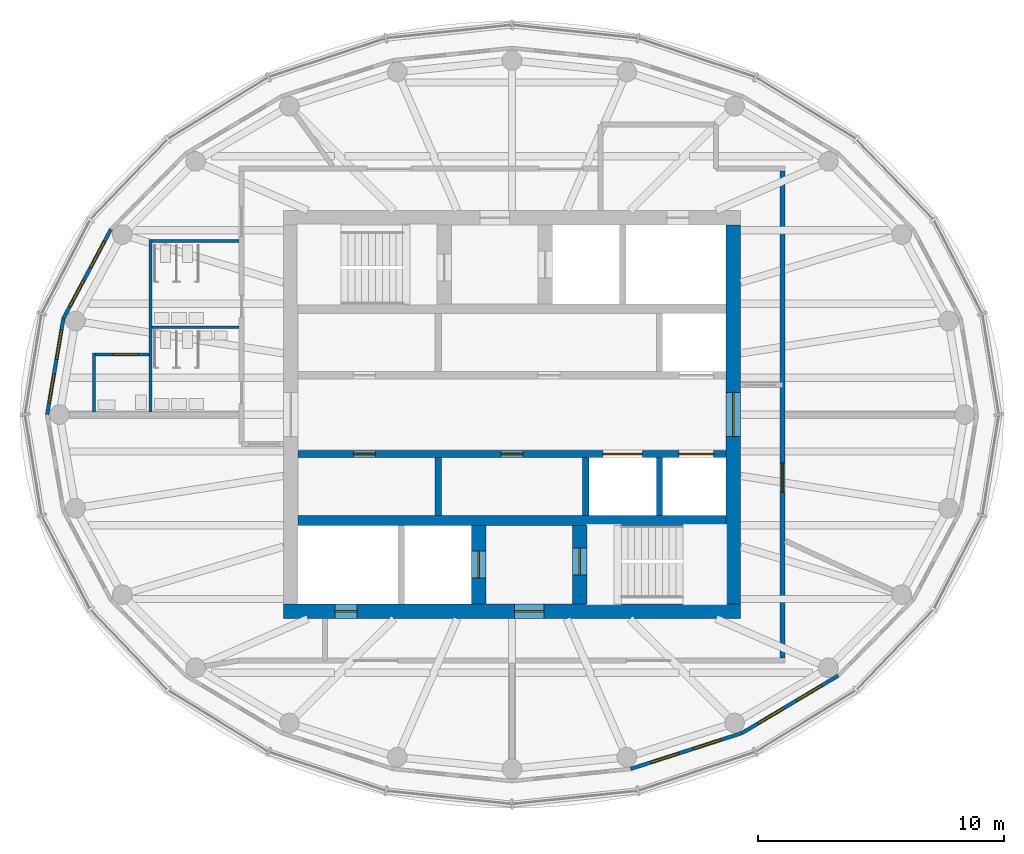
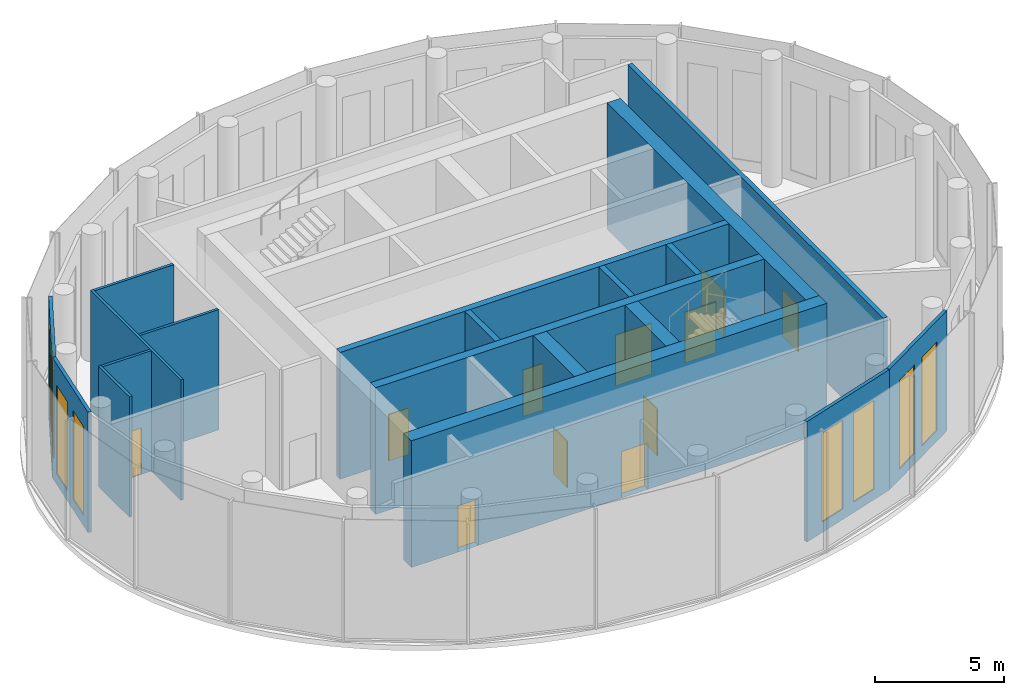
# One storey, part 5 of 11: 19 walls, 11 doors, 8 windows, 19 openings.
"""IFC4 building model written with IfcOpenShell, lengths in metres."""

from ifc_helpers import new_model, si_unit, direction, frame, frame_2d, origin, place, context, subcontext, project, spatial, rectangle, extrude, material, layer, layer_set, type_object, element, fill, save


model = new_model("IFC4")

# Units and contexts
model_context = context("Model", 3, precision=1e-05, world=origin(), true_north=direction((0.0, 1.0)))
body_context = subcontext(model_context, "Body", "Model", "MODEL_VIEW")
ifc_project = project(units=[si_unit("LENGTHUNIT", "METRE"), si_unit("AREAUNIT", "SQUARE_METRE"), si_unit("VOLUMEUNIT", "CUBIC_METRE"), si_unit("PLANEANGLEUNIT", "RADIAN"), si_unit("MASSUNIT", "GRAM", prefix="KILO")], contexts=[model_context])

# Site, building, storey
site_placement = place(None, origin())
site = spatial("IfcSite", under=ifc_project, at=site_placement, CompositionType="ELEMENT")
building_placement = place(site_placement, origin())
building = spatial("IfcBuilding", under=site, at=building_placement, Name="Hankou Lantern Tower", CompositionType="ELEMENT")
storey_placement = place(building_placement, frame((0.0, 0.0, 242.699951171875)))
storey = spatial("IfcBuildingStorey", under=building, at=storey_placement, Name="L65", CompositionType="ELEMENT", Elevation=242.699951171875)

# Wall, openings, doors
ifc_material_1 = material(Name="Concrete C60", Category="concrete")
ifc_layer_1 = layer(ifc_material_1, 0.60009765625)
ifc_layer_set_1 = layer_set([ifc_layer_1], Name="Concrete C60")
wall_type_1 = type_object("IfcWallType", Name="CW3 CORE WALL 600", PredefinedType="SHEAR", material=ifc_layer_set_1)
wall_1_placement = place(storey_placement, frame((9.300048828125, -8.0, 0.0), z_axis=(0.0, 0.0, 1.0), x_axis=(-1.0, 0.0, 0.0)))
wall_1 = element("IfcWall", 1, at=wall_1_placement, inside=storey, type_object=wall_type_1, Name="Core wall south L65", PredefinedType="SHEAR", context=body_context, shape_type="SweptSolid", body=[
    extrude(rectangle(XDim=18.60009765625, YDim=0.60009765625, at=frame_2d((9.300048828125, 0.0))), origin(), (0.0, 0.0, 1.0), 6.0),
])
opening_1_placement = place(wall_1_placement, frame((8.0, 0.0, 0.0)))
opening_1 = element("IfcOpeningElement", 2, at=opening_1_placement, cuts=wall_1, Name="Opening D5", PredefinedType="OPENING", context=body_context, shape_type="SweptSolid", body=[
    extrude(rectangle(XDim=1.199951171875, YDim=2.199951171875, at=frame_2d((0.60009765625, 1.10009765625))), frame((0.0, 0.31005859375, 0.0), z_axis=(0.0, -1.0, 0.0), x_axis=(1.0, 0.0, 0.0)), (0.0, 0.0, 1.0), 0.6201171875),
])
opening_2_placement = place(wall_1_placement, frame((15.60009765625, 0.0, 0.0)))
opening_2 = element("IfcOpeningElement", 3, at=opening_2_placement, cuts=wall_1, Name="Opening D7", PredefinedType="OPENING", context=body_context, shape_type="SweptSolid", body=[
    extrude(rectangle(XDim=0.89990234375, YDim=2.199951171875, at=frame_2d((0.449951171875, 1.10009765625))), frame((0.0, 0.31005859375, 0.0), z_axis=(0.0, -1.0, 0.0), x_axis=(1.0, 0.0, 0.0)), (0.0, 0.0, 1.0), 0.6201171875),
])
ifc_material_2 = material(Name="Steel door leaf", Category="steel")
door_type_1 = type_object("IfcDoorType", Name="D5 STAIR LOBBY DOOR 1200X2200", OperationType="SINGLE_SWING_LEFT", PredefinedType="DOOR", material=ifc_material_2)
door_1_placement = place(opening_1_placement, origin())
door_1 = element("IfcDoor", 4, at=door_1_placement, inside=storey, type_object=door_type_1, Name="Stair B lobby door", OperationType="SINGLE_SWING_RIGHT", OverallHeight=2.199951171875, OverallWidth=1.199951171875, PredefinedType="DOOR", context=body_context, shape_type="SweptSolid", body=[
    extrude(rectangle(XDim=1.199951171875, YDim=2.199951171875, at=frame_2d((0.60009765625, 1.10009765625))), frame((0.0, 0.02490234375, 0.0), z_axis=(0.0, -1.0, 0.0), x_axis=(1.0, 0.0, 0.0)), (0.0, 0.0, 1.0), 0.050048828125),
])
fill(opening_1, door_1)
ifc_material_3 = material(Name="Steel door leaf", Category="steel")
door_type_2 = type_object("IfcDoorType", Name="D7 RISER DOOR 900X2200", OperationType="SINGLE_SWING_LEFT", PredefinedType="DOOR", material=ifc_material_3)
door_2_placement = place(opening_2_placement, origin())
door_2 = element("IfcDoor", 5, at=door_2_placement, inside=storey, type_object=door_type_2, Name="Riser S1 door", OperationType="SINGLE_SWING_RIGHT", OverallHeight=2.199951171875, OverallWidth=0.89990234375, PredefinedType="DOOR", context=body_context, shape_type="SweptSolid", body=[
    extrude(rectangle(XDim=0.89990234375, YDim=2.199951171875, at=frame_2d((0.449951171875, 1.10009765625))), frame((0.0, 0.02490234375, 0.0), z_axis=(0.0, -1.0, 0.0), x_axis=(1.0, 0.0, 0.0)), (0.0, 0.0, 1.0), 0.050048828125),
])
fill(opening_2, door_2)

# Wall, opening, door
wall_2_placement = place(storey_placement, frame((9.0, -7.699951171875, 0.0), z_axis=(0.0, 0.0, 1.0), x_axis=(0.0, 1.0, 0.0)))
wall_2 = element("IfcWall", 6, at=wall_2_placement, inside=storey, type_object=wall_type_1, Name="Core wall east L65", PredefinedType="SHEAR", context=body_context, shape_type="SweptSolid", body=[
    extrude(rectangle(XDim=15.39990234375, YDim=0.60009765625, at=frame_2d((7.699951171875, 0.0))), origin(), (0.0, 0.0, 1.0), 6.0),
])
opening_3_placement = place(wall_2_placement, frame((6.800048828125, 0.0, 0.0)))
opening_3 = element("IfcOpeningElement", 7, at=opening_3_placement, cuts=wall_2, Name="Opening D6", PredefinedType="OPENING", context=body_context, shape_type="SweptSolid", body=[
    extrude(rectangle(XDim=1.800048828125, YDim=2.199951171875, at=frame_2d((0.89990234375, 1.10009765625))), frame((0.0, 0.31005859375, 0.0), z_axis=(0.0, -1.0, 0.0), x_axis=(1.0, 0.0, 0.0)), (0.0, 0.0, 1.0), 0.6201171875),
])
ifc_material_4 = material(Name="Steel door leaf", Category="steel")
door_type_3 = type_object("IfcDoorType", Name="D6 LIFT LOBBY DOOR 1800X2200", OperationType="DOUBLE_DOOR_DOUBLE_SWING", PredefinedType="DOOR", material=ifc_material_4)
door_3_placement = place(opening_3_placement, origin())
door_3 = element("IfcDoor", 8, at=door_3_placement, inside=storey, type_object=door_type_3, Name="Lift lobby east door", OperationType="DOUBLE_DOOR_DOUBLE_SWING", OverallHeight=2.199951171875, OverallWidth=1.800048828125, PredefinedType="DOOR", context=body_context, shape_type="SweptSolid", body=[
    extrude(rectangle(XDim=1.800048828125, YDim=2.199951171875, at=frame_2d((0.89990234375, 1.10009765625))), frame((0.0, 0.02490234375, 0.0), z_axis=(0.0, -1.0, 0.0), x_axis=(1.0, 0.0, 0.0)), (0.0, 0.0, 1.0), 0.050048828125),
])
fill(opening_3, door_3)

# Wall
ifc_material_5 = material(Name="Concrete C60", Category="concrete")
ifc_layer_2 = layer(ifc_material_5, 0.39990234375)
ifc_layer_set_2 = layer_set([ifc_layer_2], Name="Concrete C60")
wall_type_2 = type_object("IfcWallType", Name="CW4 CORE CROSS WALL 400", PredefinedType="SHEAR", material=ifc_layer_set_2)
wall_3_placement = place(storey_placement, frame((-8.699951171875, -4.300048828125, 0.0), z_axis=(0.0, 0.0, 1.0), x_axis=(1.0, 0.0, 0.0)))
element("IfcWall", 9, at=wall_3_placement, inside=storey, type_object=wall_type_2, Name="Core band wall south L65", PredefinedType="SHEAR", context=body_context, shape_type="SweptSolid", body=[
    extrude(rectangle(XDim=17.39990234375, YDim=0.39990234375, at=frame_2d((8.699951171875, 0.0))), origin(), (0.0, 0.0, 1.0), 6.0),
])

# Wall, openings, doors
ifc_material_6 = material(Name="Concrete C60", Category="concrete")
ifc_layer_3 = layer(ifc_material_6, 0.300048828125)
ifc_layer_set_3 = layer_set([ifc_layer_3], Name="Concrete C60")
wall_type_3 = type_object("IfcWallType", Name="CW5 LIFT LOBBY WALL 300", PredefinedType="SHEAR", material=ifc_layer_set_3)
wall_4_placement = place(storey_placement, frame((-8.699951171875, -1.60009765625, 0.0), z_axis=(0.0, 0.0, 1.0), x_axis=(1.0, 0.0, 0.0)))
wall_4 = element("IfcWall", 10, at=wall_4_placement, inside=storey, type_object=wall_type_3, Name="Lift lobby wall south L65", PredefinedType="SHEAR", context=body_context, shape_type="SweptSolid", body=[
    extrude(rectangle(XDim=17.39990234375, YDim=0.300048828125, at=frame_2d((8.699951171875, 0.0))), origin(), (0.0, 0.0, 1.0), 6.0),
])
opening_4_placement = place(wall_4_placement, frame((12.39990234375, 0.0, 0.0)))
opening_4 = element("IfcOpeningElement", 11, at=opening_4_placement, cuts=wall_4, Name="Opening LD4", PredefinedType="OPENING", context=body_context, shape_type="SweptSolid", body=[
    extrude(rectangle(XDim=1.60009765625, YDim=2.39990234375, at=frame_2d((0.800048828125, 1.199951171875))), frame((0.0, 0.159912109375, 0.0), z_axis=(0.0, -1.0, 0.0), x_axis=(1.0, 0.0, 0.0)), (0.0, 0.0, 1.0), 0.320068359375),
])
opening_5_placement = place(wall_4_placement, frame((15.5, 0.0, 0.0)))
opening_5 = element("IfcOpeningElement", 12, at=opening_5_placement, cuts=wall_4, Name="Opening LD3", PredefinedType="OPENING", context=body_context, shape_type="SweptSolid", body=[
    extrude(rectangle(XDim=1.39990234375, YDim=2.39990234375, at=frame_2d((0.699951171875, 1.199951171875))), frame((0.0, 0.159912109375, 0.0), z_axis=(0.0, -1.0, 0.0), x_axis=(1.0, 0.0, 0.0)), (0.0, 0.0, 1.0), 0.320068359375),
])
opening_6_placement = place(wall_4_placement, frame((2.25, 0.0, 0.0)))
opening_6 = element("IfcOpeningElement", 13, at=opening_6_placement, cuts=wall_4, Name="Opening D30", PredefinedType="OPENING", context=body_context, shape_type="SweptSolid", body=[
    extrude(rectangle(XDim=0.89990234375, YDim=2.199951171875, at=frame_2d((0.449951171875, 1.10009765625))), frame((0.0, 0.159912109375, 0.0), z_axis=(0.0, -1.0, 0.0), x_axis=(1.0, 0.0, 0.0)), (0.0, 0.0, 1.0), 0.320068359375),
])
opening_7_placement = place(wall_4_placement, frame((8.25, 0.0, 0.0)))
opening_7 = element("IfcOpeningElement", 14, at=opening_7_placement, cuts=wall_4, Name="Opening D30", PredefinedType="OPENING", context=body_context, shape_type="SweptSolid", body=[
    extrude(rectangle(XDim=0.89990234375, YDim=2.199951171875, at=frame_2d((0.449951171875, 1.10009765625))), frame((0.0, 0.159912109375, 0.0), z_axis=(0.0, -1.0, 0.0), x_axis=(1.0, 0.0, 0.0)), (0.0, 0.0, 1.0), 0.320068359375),
])
ifc_material_7 = material(Name="Steel door leaf", Category="steel")
door_type_4 = type_object("IfcDoorType", Name="D30 CORE ROOM DOOR 900X2200", OperationType="SINGLE_SWING_LEFT", PredefinedType="DOOR", material=ifc_material_7)
door_4_placement = place(opening_6_placement, origin())
door_4 = element("IfcDoor", 15, at=door_4_placement, inside=storey, type_object=door_type_4, Name="Cleaner's store door", OperationType="SINGLE_SWING_LEFT", OverallHeight=2.199951171875, OverallWidth=0.89990234375, PredefinedType="DOOR", context=body_context, shape_type="SweptSolid", body=[
    extrude(rectangle(XDim=0.89990234375, YDim=2.199951171875, at=frame_2d((0.449951171875, 1.10009765625))), frame((0.0, 0.02490234375, 0.0), z_axis=(0.0, -1.0, 0.0), x_axis=(1.0, 0.0, 0.0)), (0.0, 0.0, 1.0), 0.050048828125),
])
fill(opening_6, door_4)
door_5_placement = place(opening_7_placement, origin())
door_5 = element("IfcDoor", 16, at=door_5_placement, inside=storey, type_object=door_type_4, Name="IT and telecoms room door", OperationType="SINGLE_SWING_LEFT", OverallHeight=2.199951171875, OverallWidth=0.89990234375, PredefinedType="DOOR", context=body_context, shape_type="SweptSolid", body=[
    extrude(rectangle(XDim=0.89990234375, YDim=2.199951171875, at=frame_2d((0.449951171875, 1.10009765625))), frame((0.0, 0.02490234375, 0.0), z_axis=(0.0, -1.0, 0.0), x_axis=(1.0, 0.0, 0.0)), (0.0, 0.0, 1.0), 0.050048828125),
])
fill(opening_7, door_5)
ifc_material_8 = material(Name="Steel door leaf", Category="steel")
door_type_5 = type_object("IfcDoorType", Name="LD3 OBSERVATION LIFT LANDING DOOR 1400X2400", OperationType="DOUBLE_DOOR_SLIDING", PredefinedType="DOOR", material=ifc_material_8)
door_6_placement = place(opening_5_placement, origin())
door_6 = element("IfcDoor", 17, at=door_6_placement, inside=storey, type_object=door_type_5, Name="Lift OB2 landing door", OperationType="DOUBLE_DOOR_SLIDING", OverallHeight=2.39990234375, OverallWidth=1.39990234375, PredefinedType="DOOR", context=body_context, shape_type="SweptSolid", body=[
    extrude(rectangle(XDim=1.39990234375, YDim=2.39990234375, at=frame_2d((0.699951171875, 1.199951171875))), frame((0.0, 0.02490234375, 0.0), z_axis=(0.0, -1.0, 0.0), x_axis=(1.0, 0.0, 0.0)), (0.0, 0.0, 1.0), 0.050048828125),
])
fill(opening_5, door_6)
ifc_material_9 = material(Name="Steel door leaf", Category="steel")
door_type_6 = type_object("IfcDoorType", Name="LD4 SERVICE LIFT LANDING DOOR 1600X2400", OperationType="DOUBLE_DOOR_SLIDING", PredefinedType="DOOR", material=ifc_material_9)
door_7_placement = place(opening_4_placement, origin())
door_7 = element("IfcDoor", 18, at=door_7_placement, inside=storey, type_object=door_type_6, Name="Lift SV1 landing door", OperationType="DOUBLE_DOOR_SLIDING", OverallHeight=2.39990234375, OverallWidth=1.60009765625, PredefinedType="DOOR", context=body_context, shape_type="SweptSolid", body=[
    extrude(rectangle(XDim=1.60009765625, YDim=2.39990234375, at=frame_2d((0.800048828125, 1.199951171875))), frame((0.0, 0.02490234375, 0.0), z_axis=(0.0, -1.0, 0.0), x_axis=(1.0, 0.0, 0.0)), (0.0, 0.0, 1.0), 0.050048828125),
])
fill(opening_4, door_7)

# Wall, opening, door
ifc_material_10 = material(Name="Concrete C60", Category="concrete")
ifc_layer_4 = layer(ifc_material_10, 0.60009765625)
ifc_layer_set_4 = layer_set([ifc_layer_4], Name="Concrete C60")
wall_type_4 = type_object("IfcWallType", Name="CW6 STAIR AND SHAFT WALL 600", PredefinedType="SHEAR", material=ifc_layer_set_4)
wall_5_placement = place(storey_placement, frame((2.75, -7.699951171875, 0.0), z_axis=(0.0, 0.0, 1.0), x_axis=(0.0, 1.0, 0.0)))
wall_5 = element("IfcWall", 19, at=wall_5_placement, inside=storey, type_object=wall_type_4, Name="Stair wall L65", PredefinedType="SHEAR", context=body_context, shape_type="SweptSolid", body=[
    extrude(rectangle(XDim=3.199951171875, YDim=0.60009765625, at=frame_2d((1.60009765625, 0.0))), origin(), (0.0, 0.0, 1.0), 6.0),
])
opening_8_placement = place(wall_5_placement, frame((1.175048828125, 0.0, 0.0)))
opening_8 = element("IfcOpeningElement", 20, at=opening_8_placement, cuts=wall_5, Name="Opening D4", PredefinedType="OPENING", context=body_context, shape_type="SweptSolid", body=[
    extrude(rectangle(XDim=1.10009765625, YDim=2.199951171875, at=frame_2d((0.550048828125, 1.10009765625))), frame((0.0, 0.31005859375, 0.0), z_axis=(0.0, -1.0, 0.0), x_axis=(1.0, 0.0, 0.0)), (0.0, 0.0, 1.0), 0.6201171875),
])
ifc_material_11 = material(Name="Steel door leaf", Category="steel")
door_type_7 = type_object("IfcDoorType", Name="D4 STAIR DOOR 1100X2200", OperationType="SINGLE_SWING_LEFT", PredefinedType="DOOR", material=ifc_material_11)
door_8_placement = place(opening_8_placement, origin())
door_8 = element("IfcDoor", 21, at=door_8_placement, inside=storey, type_object=door_type_7, Name="Stair B door", OperationType="SINGLE_SWING_RIGHT", OverallHeight=2.199951171875, OverallWidth=1.10009765625, PredefinedType="DOOR", context=body_context, shape_type="SweptSolid", body=[
    extrude(rectangle(XDim=1.10009765625, YDim=2.199951171875, at=frame_2d((0.550048828125, 1.10009765625))), frame((0.0, 0.02490234375, 0.0), z_axis=(0.0, -1.0, 0.0), x_axis=(1.0, 0.0, 0.0)), (0.0, 0.0, 1.0), 0.050048828125),
])
fill(opening_8, door_8)

wall_6_placement = place(storey_placement, frame((-1.35009765625, -7.699951171875, 0.0), z_axis=(0.0, 0.0, 1.0), x_axis=(0.0, 1.0, 0.0)))
wall_6 = element("IfcWall", 22, at=wall_6_placement, inside=storey, type_object=wall_type_4, Name="Firefighting lift shaft wall L65", PredefinedType="SHEAR", context=body_context, shape_type="SweptSolid", body=[
    extrude(rectangle(XDim=3.199951171875, YDim=0.60009765625, at=frame_2d((1.60009765625, 0.0))), origin(), (0.0, 0.0, 1.0), 6.0),
])
opening_9_placement = place(wall_6_placement, frame((1.050048828125, 0.0, 0.0)))
opening_9 = element("IfcOpeningElement", 23, at=opening_9_placement, cuts=wall_6, Name="Opening LD2", PredefinedType="OPENING", context=body_context, shape_type="SweptSolid", body=[
    extrude(rectangle(XDim=1.10009765625, YDim=2.199951171875, at=frame_2d((0.550048828125, 1.10009765625))), frame((0.0, 0.31005859375, 0.0), z_axis=(0.0, -1.0, 0.0), x_axis=(1.0, 0.0, 0.0)), (0.0, 0.0, 1.0), 0.6201171875),
])
ifc_material_12 = material(Name="Steel door leaf", Category="steel")
door_type_8 = type_object("IfcDoorType", Name="LD2 FIREFIGHTING LIFT LANDING DOOR 1100X2200", OperationType="DOUBLE_DOOR_SLIDING", PredefinedType="DOOR", material=ifc_material_12)
door_9_placement = place(opening_9_placement, origin())
door_9 = element("IfcDoor", 24, at=door_9_placement, inside=storey, type_object=door_type_8, Name="Firefighting lift FL2 landing door", OperationType="DOUBLE_DOOR_SLIDING", OverallHeight=2.199951171875, OverallWidth=1.10009765625, PredefinedType="DOOR", context=body_context, shape_type="SweptSolid", body=[
    extrude(rectangle(XDim=1.10009765625, YDim=2.199951171875, at=frame_2d((0.550048828125, 1.10009765625))), frame((0.0, 0.02490234375, 0.0), z_axis=(0.0, -1.0, 0.0), x_axis=(1.0, 0.0, 0.0)), (0.0, 0.0, 1.0), 0.050048828125),
])
fill(opening_9, door_9)

# Wall, openings, windows
ifc_material_13 = material(Name="Aluminium spandrel panel on steel studs", Category="steel")
ifc_layer_5 = layer(ifc_material_13, 0.14990234375)
ifc_layer_set_5 = layer_set([ifc_layer_5], Name="Aluminium spandrel panel on steel studs")
wall_type_5 = type_object("IfcWallType", Name="EW1 INNER SKIN WALL 150", PredefinedType="ELEMENTEDWALL", material=ifc_layer_set_5)
wall_7_placement = place(storey_placement, frame((-16.307373046875, 7.531982421875, 0.0), z_axis=(0.0, 0.0, 1.0), x_axis=(-0.470282591286, -0.882515883332, 0.0)))
wall_7 = element("IfcWall", 25, at=wall_7_placement, inside=storey, type_object=wall_type_5, Name="Inner skin R11-R12 L65", PredefinedType="ELEMENTEDWALL", context=body_context, shape_type="SweptSolid", body=[
    extrude(rectangle(XDim=4.104736328125, YDim=0.14990234375, at=frame_2d((2.05224609375, 0.0))), origin(), (0.0, 0.0, 1.0), 5.699951171875),
])
opening_10_placement = place(wall_7_placement, frame((0.552490234375, 0.0, 0.5)))
opening_10 = element("IfcOpeningElement", 26, at=opening_10_placement, cuts=wall_7, Name="Opening W8", PredefinedType="OPENING", context=body_context, shape_type="SweptSolid", body=[
    extrude(rectangle(XDim=1.199951171875, YDim=4.199951171875, at=frame_2d((0.60009765625, 2.10009765625))), frame((0.0, 0.0849609375, 0.0), z_axis=(0.0, -1.0, 0.0), x_axis=(1.0, 0.0, 0.0)), (0.0, 0.0, 1.0), 0.169921875),
])
opening_11_placement = place(wall_7_placement, frame((2.3525390625, 0.0, 0.5)))
opening_11 = element("IfcOpeningElement", 27, at=opening_11_placement, cuts=wall_7, Name="Opening W8", PredefinedType="OPENING", context=body_context, shape_type="SweptSolid", body=[
    extrude(rectangle(XDim=1.199951171875, YDim=4.199951171875, at=frame_2d((0.60009765625, 2.10009765625))), frame((0.0, 0.0849609375, 0.0), z_axis=(0.0, -1.0, 0.0), x_axis=(1.0, 0.0, 0.0)), (0.0, 0.0, 1.0), 0.169921875),
])
ifc_material_14 = material(Name="Aluminium framed double glazed window", Category="aluminium")
window_type = type_object("IfcWindowType", Name="W8 OBSERVATION WINDOW 1200X4200", PartitioningType="DOUBLE_PANEL_VERTICAL", PredefinedType="WINDOW", material=ifc_material_14)
window_1_placement = place(opening_10_placement, origin())
window_1 = element("IfcWindow", 28, at=window_1_placement, inside=storey, type_object=window_type, Name="Window R11.1 L65", OverallHeight=4.199951171875, OverallWidth=1.199951171875, PartitioningType="SINGLE_PANEL", PredefinedType="WINDOW", context=body_context, shape_type="SweptSolid", body=[
    extrude(rectangle(XDim=1.199951171875, YDim=4.199951171875, at=frame_2d((0.60009765625, 2.10009765625))), frame((0.0, 0.030029296875, 0.0), z_axis=(0.0, -1.0, 0.0), x_axis=(1.0, 0.0, 0.0)), (0.0, 0.0, 1.0), 0.06005859375),
])
fill(opening_10, window_1)
window_2_placement = place(opening_11_placement, origin())
window_2 = element("IfcWindow", 29, at=window_2_placement, inside=storey, type_object=window_type, Name="Window R11.2 L65", OverallHeight=4.199951171875, OverallWidth=1.199951171875, PartitioningType="SINGLE_PANEL", PredefinedType="WINDOW", context=body_context, shape_type="SweptSolid", body=[
    extrude(rectangle(XDim=1.199951171875, YDim=4.199951171875, at=frame_2d((0.60009765625, 2.10009765625))), frame((0.0, 0.030029296875, 0.0), z_axis=(0.0, -1.0, 0.0), x_axis=(1.0, 0.0, 0.0)), (0.0, 0.0, 1.0), 0.06005859375),
])
fill(opening_11, window_2)

wall_8_placement = place(storey_placement, frame((-18.23779296875, 3.909423828125, 0.0), z_axis=(0.0, 0.0, 1.0), x_axis=(-0.166984464914, -0.985959526795, 0.0)))
wall_8 = element("IfcWall", 30, at=wall_8_placement, inside=storey, type_object=wall_type_5, Name="Inner skin R12-R13 L65", PredefinedType="ELEMENTEDWALL", context=body_context, shape_type="SweptSolid", body=[
    extrude(rectangle(XDim=3.965087890625, YDim=0.14990234375, at=frame_2d((1.982421875, 0.0))), origin(), (0.0, 0.0, 1.0), 5.699951171875),
])
opening_12_placement = place(wall_8_placement, frame((0.482666015625, 0.0, 0.5)))
opening_12 = element("IfcOpeningElement", 31, at=opening_12_placement, cuts=wall_8, Name="Opening W8", PredefinedType="OPENING", context=body_context, shape_type="SweptSolid", body=[
    extrude(rectangle(XDim=1.199951171875, YDim=4.199951171875, at=frame_2d((0.60009765625, 2.10009765625))), frame((0.0, 0.0849609375, 0.0), z_axis=(0.0, -1.0, 0.0), x_axis=(1.0, 0.0, 0.0)), (0.0, 0.0, 1.0), 0.169921875),
])
opening_13_placement = place(wall_8_placement, frame((2.282470703125, 0.0, 0.5)))
opening_13 = element("IfcOpeningElement", 32, at=opening_13_placement, cuts=wall_8, Name="Opening W8", PredefinedType="OPENING", context=body_context, shape_type="SweptSolid", body=[
    extrude(rectangle(XDim=1.199951171875, YDim=4.199951171875, at=frame_2d((0.60009765625, 2.10009765625))), frame((0.0, 0.0849609375, 0.0), z_axis=(0.0, -1.0, 0.0), x_axis=(1.0, 0.0, 0.0)), (0.0, 0.0, 1.0), 0.169921875),
])
window_3_placement = place(opening_12_placement, origin())
window_3 = element("IfcWindow", 33, at=window_3_placement, inside=storey, type_object=window_type, Name="Window R12.1 L65", OverallHeight=4.199951171875, OverallWidth=1.199951171875, PartitioningType="SINGLE_PANEL", PredefinedType="WINDOW", context=body_context, shape_type="SweptSolid", body=[
    extrude(rectangle(XDim=1.199951171875, YDim=4.199951171875, at=frame_2d((0.60009765625, 2.10009765625))), frame((0.0, 0.030029296875, 0.0), z_axis=(0.0, -1.0, 0.0), x_axis=(1.0, 0.0, 0.0)), (0.0, 0.0, 1.0), 0.06005859375),
])
fill(opening_12, window_3)
window_4_placement = place(opening_13_placement, origin())
window_4 = element("IfcWindow", 34, at=window_4_placement, inside=storey, type_object=window_type, Name="Window R12.2 L65", OverallHeight=4.199951171875, OverallWidth=1.199951171875, PartitioningType="SINGLE_PANEL", PredefinedType="WINDOW", context=body_context, shape_type="SweptSolid", body=[
    extrude(rectangle(XDim=1.199951171875, YDim=4.199951171875, at=frame_2d((0.60009765625, 2.10009765625))), frame((0.0, 0.030029296875, 0.0), z_axis=(0.0, -1.0, 0.0), x_axis=(1.0, 0.0, 0.0)), (0.0, 0.0, 1.0), 0.06005859375),
])
fill(opening_13, window_4)

wall_9_placement = place(storey_placement, frame((4.8251953125, -14.40625, 0.0), z_axis=(0.0, 0.0, 1.0), x_axis=(0.951881908824, 0.306465057804, 0.0)))
wall_9 = element("IfcWall", 35, at=wall_9_placement, inside=storey, type_object=wall_type_5, Name="Inner skin R20-R21 L65", PredefinedType="ELEMENTEDWALL", context=body_context, shape_type="SweptSolid", body=[
    extrude(rectangle(XDim=4.74951171875, YDim=0.14990234375, at=frame_2d((2.374755859375, 0.0))), origin(), (0.0, 0.0, 1.0), 5.699951171875),
])
opening_14_placement = place(wall_9_placement, frame((0.874755859375, 0.0, 0.5)))
opening_14 = element("IfcOpeningElement", 36, at=opening_14_placement, cuts=wall_9, Name="Opening W8", PredefinedType="OPENING", context=body_context, shape_type="SweptSolid", body=[
    extrude(rectangle(XDim=1.199951171875, YDim=4.199951171875, at=frame_2d((0.60009765625, 2.10009765625))), frame((0.0, 0.0849609375, 0.0), z_axis=(0.0, -1.0, 0.0), x_axis=(1.0, 0.0, 0.0)), (0.0, 0.0, 1.0), 0.169921875),
])
opening_15_placement = place(wall_9_placement, frame((2.6748046875, 0.0, 0.5)))
opening_15 = element("IfcOpeningElement", 37, at=opening_15_placement, cuts=wall_9, Name="Opening W8", PredefinedType="OPENING", context=body_context, shape_type="SweptSolid", body=[
    extrude(rectangle(XDim=1.199951171875, YDim=4.199951171875, at=frame_2d((0.60009765625, 2.10009765625))), frame((0.0, 0.0849609375, 0.0), z_axis=(0.0, -1.0, 0.0), x_axis=(1.0, 0.0, 0.0)), (0.0, 0.0, 1.0), 0.169921875),
])
window_5_placement = place(opening_14_placement, origin())
window_5 = element("IfcWindow", 38, at=window_5_placement, inside=storey, type_object=window_type, Name="Window R20.1 L65", OverallHeight=4.199951171875, OverallWidth=1.199951171875, PartitioningType="SINGLE_PANEL", PredefinedType="WINDOW", context=body_context, shape_type="SweptSolid", body=[
    extrude(rectangle(XDim=1.199951171875, YDim=4.199951171875, at=frame_2d((0.60009765625, 2.10009765625))), frame((0.0, 0.030029296875, 0.0), z_axis=(0.0, -1.0, 0.0), x_axis=(1.0, 0.0, 0.0)), (0.0, 0.0, 1.0), 0.06005859375),
])
fill(opening_14, window_5)
window_6_placement = place(opening_15_placement, origin())
window_6 = element("IfcWindow", 39, at=window_6_placement, inside=storey, type_object=window_type, Name="Window R20.2 L65", OverallHeight=4.199951171875, OverallWidth=1.199951171875, PartitioningType="SINGLE_PANEL", PredefinedType="WINDOW", context=body_context, shape_type="SweptSolid", body=[
    extrude(rectangle(XDim=1.199951171875, YDim=4.199951171875, at=frame_2d((0.60009765625, 2.10009765625))), frame((0.0, 0.030029296875, 0.0), z_axis=(0.0, -1.0, 0.0), x_axis=(1.0, 0.0, 0.0)), (0.0, 0.0, 1.0), 0.06005859375),
])
fill(opening_15, window_6)

wall_10_placement = place(storey_placement, frame((9.34619140625, -12.95068359375, 0.0), z_axis=(0.0, 0.0, 1.0), x_axis=(0.858849230109, 0.512228464594, 0.0)))
wall_10 = element("IfcWall", 40, at=wall_10_placement, inside=storey, type_object=wall_type_5, Name="Inner skin R21-R22 L65", PredefinedType="ELEMENTEDWALL", context=body_context, shape_type="SweptSolid", body=[
    extrude(rectangle(XDim=4.564208984375, YDim=0.14990234375, at=frame_2d((2.2822265625, 0.0))), origin(), (0.0, 0.0, 1.0), 5.699951171875),
])
opening_16_placement = place(wall_10_placement, frame((0.781982421875, 0.0, 0.5)))
opening_16 = element("IfcOpeningElement", 41, at=opening_16_placement, cuts=wall_10, Name="Opening W8", PredefinedType="OPENING", context=body_context, shape_type="SweptSolid", body=[
    extrude(rectangle(XDim=1.199951171875, YDim=4.199951171875, at=frame_2d((0.60009765625, 2.10009765625))), frame((0.0, 0.0849609375, 0.0), z_axis=(0.0, -1.0, 0.0), x_axis=(1.0, 0.0, 0.0)), (0.0, 0.0, 1.0), 0.169921875),
])
opening_17_placement = place(wall_10_placement, frame((2.58203125, 0.0, 0.5)))
opening_17 = element("IfcOpeningElement", 42, at=opening_17_placement, cuts=wall_10, Name="Opening W8", PredefinedType="OPENING", context=body_context, shape_type="SweptSolid", body=[
    extrude(rectangle(XDim=1.199951171875, YDim=4.199951171875, at=frame_2d((0.60009765625, 2.10009765625))), frame((0.0, 0.0849609375, 0.0), z_axis=(0.0, -1.0, 0.0), x_axis=(1.0, 0.0, 0.0)), (0.0, 0.0, 1.0), 0.169921875),
])
window_7_placement = place(opening_16_placement, origin())
window_7 = element("IfcWindow", 43, at=window_7_placement, inside=storey, type_object=window_type, Name="Window R21.1 L65", OverallHeight=4.199951171875, OverallWidth=1.199951171875, PartitioningType="SINGLE_PANEL", PredefinedType="WINDOW", context=body_context, shape_type="SweptSolid", body=[
    extrude(rectangle(XDim=1.199951171875, YDim=4.199951171875, at=frame_2d((0.60009765625, 2.10009765625))), frame((0.0, 0.030029296875, 0.0), z_axis=(0.0, -1.0, 0.0), x_axis=(1.0, 0.0, 0.0)), (0.0, 0.0, 1.0), 0.06005859375),
])
fill(opening_16, window_7)
window_8_placement = place(opening_17_placement, origin())
window_8 = element("IfcWindow", 44, at=window_8_placement, inside=storey, type_object=window_type, Name="Window R21.2 L65", OverallHeight=4.199951171875, OverallWidth=1.199951171875, PartitioningType="SINGLE_PANEL", PredefinedType="WINDOW", context=body_context, shape_type="SweptSolid", body=[
    extrude(rectangle(XDim=1.199951171875, YDim=4.199951171875, at=frame_2d((0.60009765625, 2.10009765625))), frame((0.0, 0.030029296875, 0.0), z_axis=(0.0, -1.0, 0.0), x_axis=(1.0, 0.0, 0.0)), (0.0, 0.0, 1.0), 0.06005859375),
])
fill(opening_17, window_8)

# Wall, opening, door
ifc_material_15 = material(Name="Masonry lightweight concrete block", Category="masonry")
ifc_layer_6 = layer(ifc_material_15, 0.199951171875)
ifc_layer_set_6 = layer_set([ifc_layer_6], Name="Masonry lightweight concrete block")
wall_type_6 = type_object("IfcWallType", Name="IW2 CORRIDOR WALL 200", PredefinedType="PARTITIONING", material=ifc_layer_set_6)
wall_11_placement = place(storey_placement, frame((11.0, -9.89990234375, 0.0), z_axis=(0.0, 0.0, 1.0), x_axis=(0.0, 1.0, 0.0)))
wall_11 = element("IfcWall", 45, at=wall_11_placement, inside=storey, type_object=wall_type_6, Name="Corridor wall east", PredefinedType="PARTITIONING", context=body_context, shape_type="SweptSolid", body=[
    extrude(rectangle(XDim=19.7998046875, YDim=0.199951171875, at=frame_2d((9.89990234375, 0.0))), origin(), (0.0, 0.0, 1.0), 5.699951171875),
])
opening_18_placement = place(wall_11_placement, frame((6.736572265625, 0.0, 0.0)))
opening_18 = element("IfcOpeningElement", 46, at=opening_18_placement, cuts=wall_11, Name="Opening D23", PredefinedType="OPENING", context=body_context, shape_type="SweptSolid", body=[
    extrude(rectangle(XDim=1.199951171875, YDim=2.199951171875, at=frame_2d((0.60009765625, 1.10009765625))), frame((0.0, 0.10986328125, 0.0), z_axis=(0.0, -1.0, 0.0), x_axis=(1.0, 0.0, 0.0)), (0.0, 0.0, 1.0), 0.219970703125),
])
ifc_material_16 = material(Name="Steel door leaf", Category="steel")
door_type_9 = type_object("IfcDoorType", Name="D23 WIDE STORE DOOR 1200X2200", OperationType="SINGLE_SWING_LEFT", PredefinedType="DOOR", material=ifc_material_16)
door_10_placement = place(opening_18_placement, origin())
door_10 = element("IfcDoor", 47, at=door_10_placement, inside=storey, type_object=door_type_9, Name="Observation exhibition store and AV room door", OperationType="SINGLE_SWING_RIGHT", OverallHeight=2.199951171875, OverallWidth=1.199951171875, PredefinedType="DOOR", context=body_context, shape_type="SweptSolid", body=[
    extrude(rectangle(XDim=1.199951171875, YDim=2.199951171875, at=frame_2d((0.60009765625, 1.10009765625))), frame((0.0, 0.02490234375, 0.0), z_axis=(0.0, -1.0, 0.0), x_axis=(1.0, 0.0, 0.0)), (0.0, 0.0, 1.0), 0.050048828125),
])
fill(opening_18, door_10)

# Walls
ifc_material_17 = material(Name="Masonry lightweight concrete block", Category="masonry")
ifc_layer_7 = layer(ifc_material_17, 0.1201171875)
ifc_layer_set_7 = layer_set([ifc_layer_7], Name="Masonry lightweight concrete block")
wall_type_7 = type_object("IfcWallType", Name="IW3 BATHROOM WALL 120", PredefinedType="PARTITIONING", material=ifc_layer_set_7)
wall_12_placement = place(storey_placement, frame((-14.699951171875, 0.10009765625, 0.0), z_axis=(0.0, 0.0, 1.0), x_axis=(0.0, 1.0, 0.0)))
element("IfcWall", 48, at=wall_12_placement, inside=storey, type_object=wall_type_7, Name="WC wall west", PredefinedType="PARTITIONING", context=body_context, shape_type="SweptSolid", body=[
    extrude(rectangle(XDim=7.010009765625, YDim=0.1201171875, at=frame_2d((3.5048828125, 0.0))), origin(), (0.0, 0.0, 1.0), 5.699951171875),
])
for number, where, z_axis, x_axis, name in (
    (49, (-11.10009765625, 3.550048828125, 0.0), (0.0, 0.0, 1.0), (-1.0, 0.0, 0.0), "WC wall between"),
    (50, (-11.10009765625, 7.050048828125, 0.0), (0.0, 0.0, 1.0), (-1.0, 0.0, 0.0), "WC wall north"),
):
    element("IfcWall", number, at=place(storey_placement, frame(where, z_axis=z_axis, x_axis=x_axis)), inside=storey, type_object=wall_type_7, Name=name, PredefinedType="PARTITIONING", context=body_context, shape_type="SweptSolid", body=[
        extrude(rectangle(XDim=3.539794921875, YDim=0.1201171875, at=frame_2d((1.77001953125, 0.0))), origin(), (0.0, 0.0, 1.0), 5.699951171875),
    ])
wall_13_placement = place(storey_placement, frame((-17.0, 0.10009765625, 0.0), z_axis=(0.0, 0.0, 1.0), x_axis=(0.0, 1.0, 0.0)))
element("IfcWall", 51, at=wall_13_placement, inside=storey, type_object=wall_type_7, Name="Accessible WC wall west", PredefinedType="PARTITIONING", context=body_context, shape_type="SweptSolid", body=[
    extrude(rectangle(XDim=2.409912109375, YDim=0.1201171875, at=frame_2d((1.205078125, 0.0))), origin(), (0.0, 0.0, 1.0), 5.699951171875),
])

# Wall, opening, door
wall_14_placement = place(storey_placement, frame((-14.760009765625, 2.449951171875, 0.0), z_axis=(0.0, 0.0, 1.0), x_axis=(-1.0, 0.0, 0.0)))
wall_14 = element("IfcWall", 52, at=wall_14_placement, inside=storey, type_object=wall_type_7, Name="Accessible WC wall north", PredefinedType="PARTITIONING", context=body_context, shape_type="SweptSolid", body=[
    extrude(rectangle(XDim=2.300048828125, YDim=0.1201171875, at=frame_2d((1.14990234375, 0.0))), origin(), (0.0, 0.0, 1.0), 5.699951171875),
])
opening_19_placement = place(wall_14_placement, frame((0.449951171875, 0.0, 0.0)))
opening_19 = element("IfcOpeningElement", 53, at=opening_19_placement, cuts=wall_14, Name="Opening D11", PredefinedType="OPENING", context=body_context, shape_type="SweptSolid", body=[
    extrude(rectangle(XDim=1.0, YDim=2.199951171875, at=frame_2d((0.5, 1.10009765625))), frame((0.0, 0.070068359375, 0.0), z_axis=(0.0, -1.0, 0.0), x_axis=(1.0, 0.0, 0.0)), (0.0, 0.0, 1.0), 0.14013671875),
])
ifc_material_18 = material(Name="Timber door leaf", Category="wood")
door_type_10 = type_object("IfcDoorType", Name="D11 ACCESSIBLE WC DOOR 1000X2200", OperationType="SLIDING_TO_LEFT", PredefinedType="DOOR", material=ifc_material_18)
door_11_placement = place(opening_19_placement, origin())
door_11 = element("IfcDoor", 54, at=door_11_placement, inside=storey, type_object=door_type_10, Name="Accessible WC door", OperationType="SLIDING_TO_LEFT", OverallHeight=2.199951171875, OverallWidth=1.0, PredefinedType="DOOR", context=body_context, shape_type="SweptSolid", body=[
    extrude(rectangle(XDim=1.0, YDim=2.199951171875, at=frame_2d((0.5, 1.10009765625))), frame((0.0, 0.02490234375, 0.0), z_axis=(0.0, -1.0, 0.0), x_axis=(1.0, 0.0, 0.0)), (0.0, 0.0, 1.0), 0.050048828125),
])
fill(opening_19, door_11)

# Walls
ifc_material_19 = material(Name="Masonry autoclaved aerated concrete block", Category="masonry")
ifc_layer_8 = layer(ifc_material_19, 0.25)
ifc_layer_set_8 = layer_set([ifc_layer_8], Name="Masonry autoclaved aerated concrete block")
wall_type_8 = type_object("IfcWallType", Name="SW1 SHAFT BLOCK WALL 250", PredefinedType="PARTITIONING", material=ifc_layer_set_8)
for number, where, z_axis, x_axis, name in (
    (55, (-3.0, -4.10009765625, 0.0), (0.0, 0.0, 1.0), (0.0, 1.0, 0.0), "Lift shaft wall L65"),
    (56, (3.0, -4.10009765625, 0.0), (0.0, 0.0, 1.0), (0.0, 1.0, 0.0), "Lift shaft wall L65"),
    (57, (6.0, -4.10009765625, 0.0), (0.0, 0.0, 1.0), (0.0, 1.0, 0.0), "Lift shaft wall L65"),
):
    element("IfcWall", number, at=place(storey_placement, frame(where, z_axis=z_axis, x_axis=x_axis)), inside=storey, type_object=wall_type_8, Name=name, PredefinedType="PARTITIONING", context=body_context, shape_type="SweptSolid", body=[
        extrude(rectangle(XDim=2.35009765625, YDim=0.25, at=frame_2d((1.175048828125, 0.0))), origin(), (0.0, 0.0, 1.0), 6.0),
    ])

save(model, "model.ifc")
